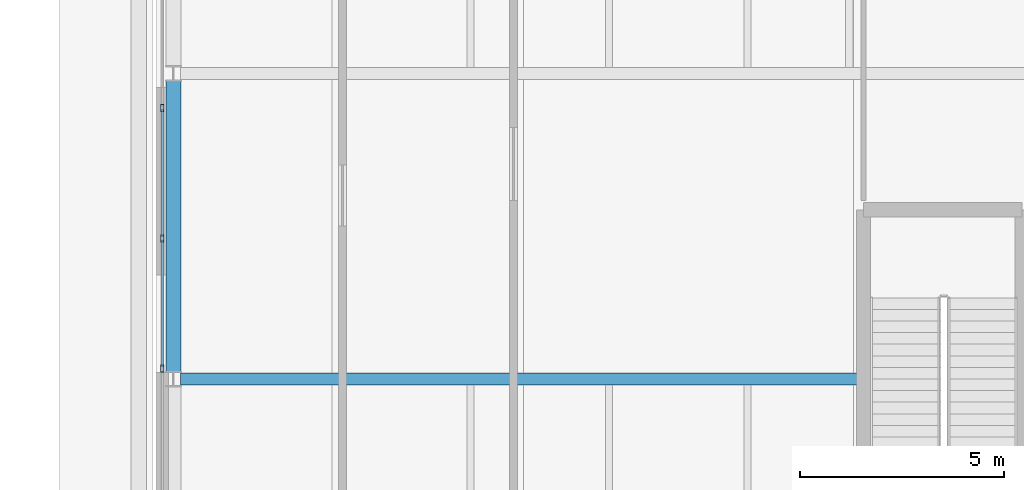
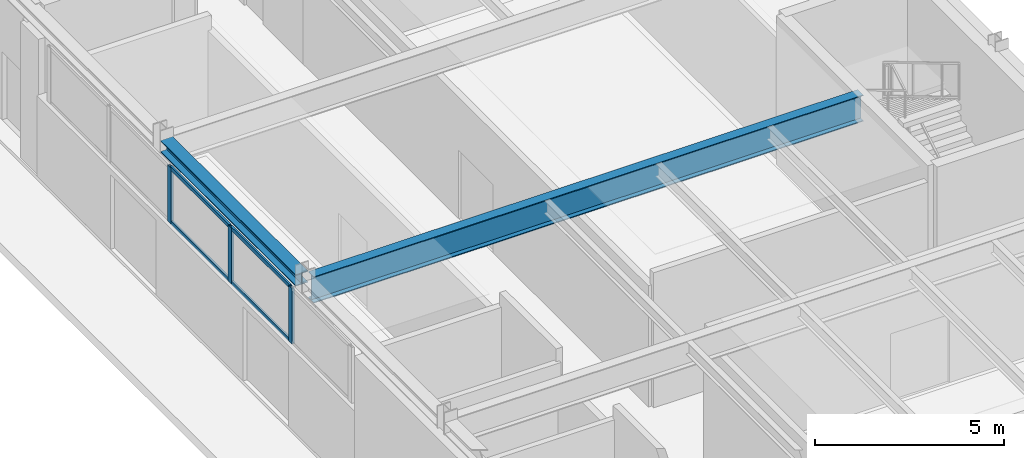
# One storey, part 7 of 21: 7 members, 2 beams, 1 element without a shape of its own.
"""IFC4 building model written with IfcOpenShell, lengths in metres."""

from ifc_helpers import new_model, si_unit, direction, frame, origin, origin_2d, place, context, subcontext, project, spatial, hollow_rectangle, i_section, extrude, material, layer, layer_set, material_profile, profile_set, type_object, element, aggregate, save


model = new_model("IFC4")

# Units and contexts
model_context = context("Model", 3, precision=1e-05, world=origin(), true_north=direction((0.0, 1.0)))
body_context = subcontext(model_context, "Body", "Model", "MODEL_VIEW")
ifc_project = project(units=[si_unit("LENGTHUNIT", "METRE"), si_unit("AREAUNIT", "SQUARE_METRE"), si_unit("VOLUMEUNIT", "CUBIC_METRE"), si_unit("PLANEANGLEUNIT", "RADIAN"), si_unit("MASSUNIT", "GRAM", prefix="KILO")], contexts=[model_context])

# Site, building, storey
site_placement = place(None, origin())
site = spatial("IfcSite", under=ifc_project, at=site_placement, CompositionType="ELEMENT")
building_placement = place(site_placement, origin())
building = spatial("IfcBuilding", under=site, at=building_placement, Name="Mersakhor Tower and Convention Hall", CompositionType="ELEMENT")
storey_placement = place(building_placement, origin())
storey = spatial("IfcBuildingStorey", under=building, at=storey_placement, Name="L00", CompositionType="ELEMENT", Elevation=0.0)

# Beams
ifc_material_1 = material(Name="Steel S355", Category="steel")
ifc_material_profile_1 = material_profile(ifc_material_1, i_section(OverallWidth=0.293701171875, OverallDepth=0.850830078125, WebThickness=0.01611328125, FlangeThickness=0.02685546875, at=origin_2d()), Name="UB 838x292x226")
ifc_profile_set_1 = profile_set([ifc_material_profile_1], Name="Steel S355")
beam_type_1 = type_object("IfcBeamType", Name="BM-PR-838", PredefinedType="BEAM", material=ifc_profile_set_1)
beam_1_placement = place(storey_placement, frame((55.679931640625, 25.75, 4.3544921875), z_axis=(1.0, 0.0, 0.0), x_axis=(0.0, 1.0, 0.0)))
element("IfcBeam", 1, at=beam_1_placement, inside=storey, type_object=beam_type_1, Name="Convention L00 Clear-Span Girder CG-4", PredefinedType="BEAM", context=body_context, shape_type="SweptSolid", body=[
    extrude(i_section(OverallWidth=0.293701171875, OverallDepth=0.850830078125, WebThickness=0.01611328125, FlangeThickness=0.02685546875, at=origin_2d()), origin(), (0.0, 0.0, 1.0), 16.77001953125),
])
ifc_material_2 = material(Name="Steel S355", Category="steel")
ifc_material_profile_2 = material_profile(ifc_material_2, i_section(OverallWidth=0.374755859375, OverallDepth=0.37451171875, WebThickness=0.0166015625, FlangeThickness=0.027099609375, at=origin_2d()), Name="UC 356x368x202")
ifc_profile_set_2 = profile_set([ifc_material_profile_2], Name="Steel S355")
beam_type_2 = type_object("IfcBeamType", Name="BM-SPD-UC356", PredefinedType="SPANDREL", material=ifc_profile_set_2)
beam_2_placement = place(storey_placement, frame((55.5, 25.929931640625, 4.593017578125), z_axis=(0.0, 1.0, 0.0), x_axis=(-1.0, 0.0, 0.0)))
element("IfcBeam", 2, at=beam_2_placement, inside=storey, type_object=beam_type_2, Name="Convention L00 Edge Spandrel W4", PredefinedType="SPANDREL", context=body_context, shape_type="SweptSolid", body=[
    extrude(i_section(OverallWidth=0.374755859375, OverallDepth=0.37451171875, WebThickness=0.0166015625, FlangeThickness=0.027099609375, at=origin_2d()), origin(), (0.0, 0.0, 1.0), 7.14013671875),
])

# Curtain wall, members
ifc_material_3 = material(Name="Dark solar low-E aluminium curtain wall", Category="aluminium")
ifc_layer = layer(ifc_material_3, 0.219970703125)
ifc_layer_set = layer_set([ifc_layer], Name="Dark solar low-E aluminium curtain wall")
curtain_wall_type = type_object("IfcCurtainWallType", Name="CW-SYS-07", PredefinedType="USERDEFINED", material=ifc_layer_set)
curtain_wall_placement = place(storey_placement, origin())
curtain_wall = element("IfcCurtainWall", 3, at=curtain_wall_placement, inside=storey, type_object=curtain_wall_type, Name="Convention L00 West Curtain Wall", ObjectType="CURTAIN WALL", PredefinedType="USERDEFINED")
ifc_material_4 = material(Name="Anodised aluminium EN AW-6063 T6", Category="aluminium")
ifc_material_profile_3 = material_profile(ifc_material_4, hollow_rectangle(XDim=0.080078125, YDim=0.179931640625, WallThickness=0.008056640625, at=origin_2d()), Name="RHS 180x80x8")
ifc_profile_set_3 = profile_set([ifc_material_profile_3], Name="Anodised aluminium EN AW-6063 T6")
member_type_1 = type_object("IfcMemberType", Name="CWM-180x80", PredefinedType="MULLION", material=ifc_profile_set_3)
member_1_placement = place(storey_placement, frame((55.22509765625, 26.0, 2.60009765625), z_axis=(0.0, 0.0, 1.0), x_axis=(-1.0, 0.0, 0.0)))
member_1 = element("IfcMember", 4, at=member_1_placement, type_object=member_type_1, Name="CW-07 mullion 2", PredefinedType="MULLION", context=body_context, shape_type="SweptSolid", body=[
    extrude(hollow_rectangle(XDim=0.080078125, YDim=0.179931640625, WallThickness=0.008056640625, at=origin_2d()), origin(), (0.0, 0.0, 1.0), 1.7998046875),
])
member_2_placement = place(storey_placement, frame((55.22509765625, 29.199951171875, 2.60009765625), z_axis=(0.0, 0.0, 1.0), x_axis=(-1.0, 0.0, 0.0)))
member_2 = element("IfcMember", 5, at=member_2_placement, type_object=member_type_1, Name="CW-07 mullion 3", PredefinedType="MULLION", context=body_context, shape_type="SweptSolid", body=[
    extrude(hollow_rectangle(XDim=0.080078125, YDim=0.179931640625, WallThickness=0.008056640625, at=origin_2d()), origin(), (0.0, 0.0, 1.0), 1.7998046875),
])
member_3_placement = place(storey_placement, frame((55.22509765625, 32.39990234375, 2.60009765625), z_axis=(0.0, 0.0, 1.0), x_axis=(-1.0, 0.0, 0.0)))
member_3 = element("IfcMember", 6, at=member_3_placement, type_object=member_type_1, Name="CW-07 mullion 4", PredefinedType="MULLION", context=body_context, shape_type="SweptSolid", body=[
    extrude(hollow_rectangle(XDim=0.080078125, YDim=0.179931640625, WallThickness=0.008056640625, at=origin_2d()), origin(), (0.0, 0.0, 1.0), 1.7998046875),
])
ifc_material_5 = material(Name="Anodised aluminium EN AW-6063 T6", Category="aluminium")
ifc_material_profile_4 = material_profile(ifc_material_5, hollow_rectangle(XDim=0.06005859375, YDim=0.1201171875, WallThickness=0.0048828125, at=origin_2d()), Name="RHS 120x60x5")
ifc_profile_set_4 = profile_set([ifc_material_profile_4], Name="Anodised aluminium EN AW-6063 T6")
member_type_2 = type_object("IfcMemberType", Name="CWT-120x60", PredefinedType="USERDEFINED", material=ifc_profile_set_4)
member_4_placement = place(storey_placement, frame((55.22509765625, 26.0400390625, 2.6298828125), z_axis=(0.0, 1.0, 0.0), x_axis=(-1.0, 0.0, 0.0)))
member_4 = element("IfcMember", 7, at=member_4_placement, type_object=member_type_2, Name="CW-07 transom 2.1", ObjectType="TRANSOM", PredefinedType="USERDEFINED", context=body_context, shape_type="SweptSolid", body=[
    extrude(hollow_rectangle(XDim=0.06005859375, YDim=0.1201171875, WallThickness=0.0048828125, at=origin_2d()), origin(), (0.0, 0.0, 1.0), 3.119873046875),
])
member_5_placement = place(storey_placement, frame((55.22509765625, 26.0400390625, 4.3701171875), z_axis=(0.0, 1.0, 0.0), x_axis=(-1.0, 0.0, 0.0)))
member_5 = element("IfcMember", 8, at=member_5_placement, type_object=member_type_2, Name="CW-07 transom 2.2", ObjectType="TRANSOM", PredefinedType="USERDEFINED", context=body_context, shape_type="SweptSolid", body=[
    extrude(hollow_rectangle(XDim=0.06005859375, YDim=0.1201171875, WallThickness=0.0048828125, at=origin_2d()), origin(), (0.0, 0.0, 1.0), 3.119873046875),
])
member_6_placement = place(storey_placement, frame((55.22509765625, 29.239990234375, 2.6298828125), z_axis=(0.0, 1.0, 0.0), x_axis=(-1.0, 0.0, 0.0)))
member_6 = element("IfcMember", 9, at=member_6_placement, type_object=member_type_2, Name="CW-07 transom 3.1", ObjectType="TRANSOM", PredefinedType="USERDEFINED", context=body_context, shape_type="SweptSolid", body=[
    extrude(hollow_rectangle(XDim=0.06005859375, YDim=0.1201171875, WallThickness=0.0048828125, at=origin_2d()), origin(), (0.0, 0.0, 1.0), 3.1201171875),
])
member_7_placement = place(storey_placement, frame((55.22509765625, 29.239990234375, 4.3701171875), z_axis=(0.0, 1.0, 0.0), x_axis=(-1.0, 0.0, 0.0)))
member_7 = element("IfcMember", 10, at=member_7_placement, type_object=member_type_2, Name="CW-07 transom 3.2", ObjectType="TRANSOM", PredefinedType="USERDEFINED", context=body_context, shape_type="SweptSolid", body=[
    extrude(hollow_rectangle(XDim=0.06005859375, YDim=0.1201171875, WallThickness=0.0048828125, at=origin_2d()), origin(), (0.0, 0.0, 1.0), 3.1201171875),
])
aggregate(curtain_wall, [member_1, member_2, member_3, member_4, member_5, member_6, member_7])

save(model, "model.ifc")
